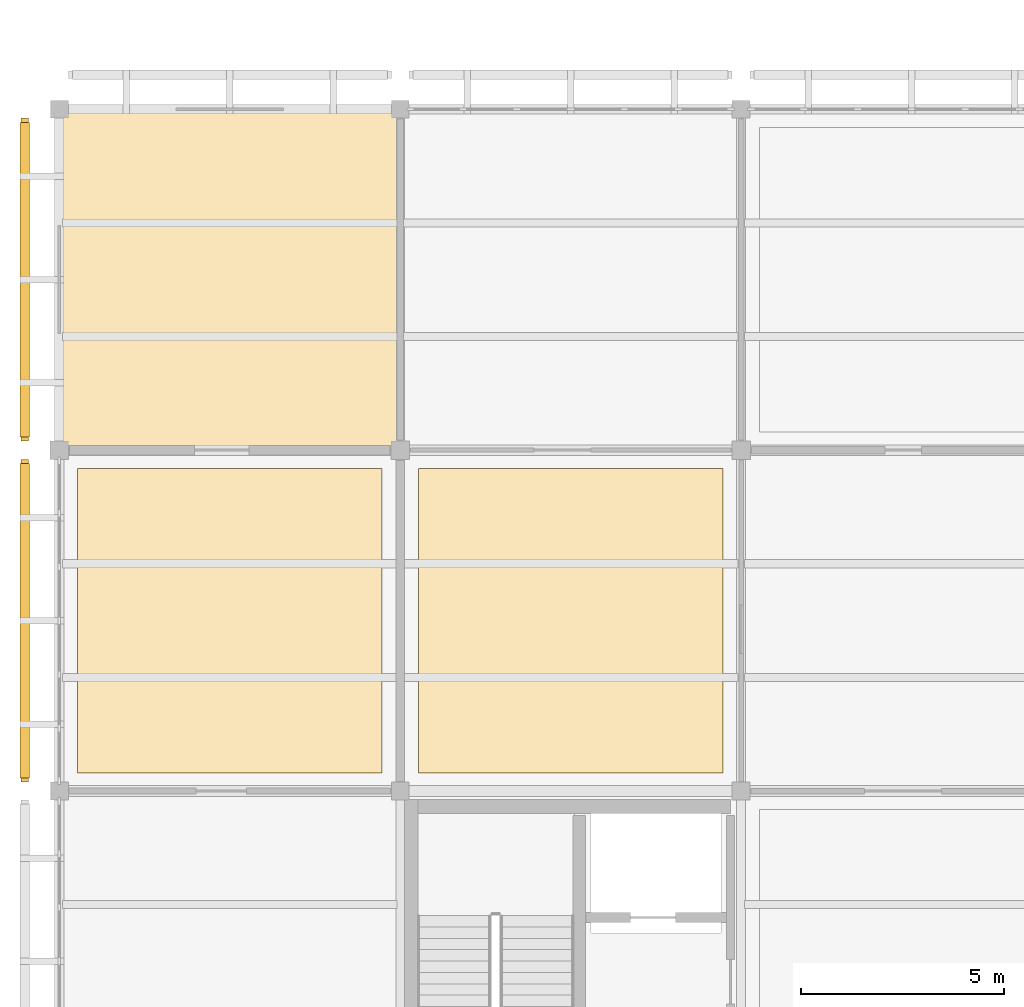
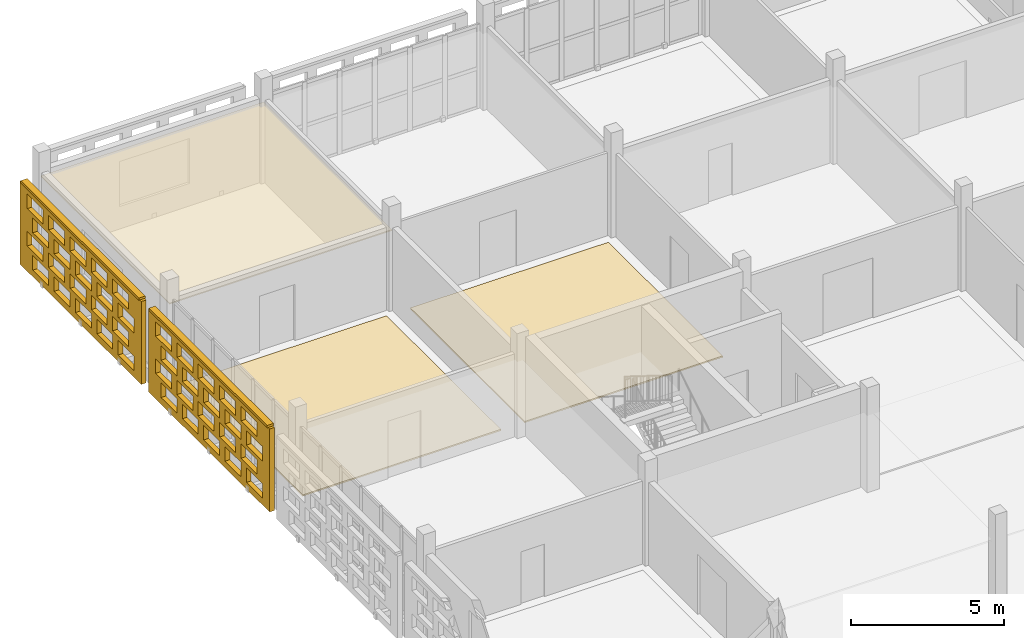
# One storey, part 112 of 140: 5 coverings, 2 shading devices, 40 openings.
"""IFC4 building model written with IfcOpenShell, lengths in metres."""

from ifc_helpers import new_model, si_unit, direction, frame, frame_2d, origin, origin_2d, place, context, subcontext, project, spatial, rectangle, extrude, material, layer, layer_set, type_object, element, save


model = new_model("IFC4")

# Units and contexts
model_context = context("Model", 3, precision=1e-05, world=origin(), true_north=direction((0.0, 1.0)))
body_context = subcontext(model_context, "Body", "Model", "MODEL_VIEW")
ifc_project = project(units=[si_unit("LENGTHUNIT", "METRE"), si_unit("AREAUNIT", "SQUARE_METRE"), si_unit("VOLUMEUNIT", "CUBIC_METRE"), si_unit("PLANEANGLEUNIT", "RADIAN"), si_unit("MASSUNIT", "GRAM", prefix="KILO")], contexts=[model_context])

# Site, building, storey
site_placement = place(None, origin())
site = spatial("IfcSite", under=ifc_project, at=site_placement, CompositionType="ELEMENT")
building_placement = place(site_placement, origin())
building = spatial("IfcBuilding", under=site, at=building_placement, Name="Varnapada Polytechnic", CompositionType="ELEMENT")
storey_placement = place(building_placement, frame((0.0, 0.0, 13.800048828125)))
storey = spatial("IfcBuildingStorey", under=building, at=storey_placement, Name="L03", CompositionType="ELEMENT", Elevation=13.800048828125)

# Coverings
ifc_material_1 = material(Name="End-Grain Timber Studio Block Flooring", Category="wood")
ifc_layer_1 = layer(ifc_material_1, 0.054931640625)
ifc_layer_set_1 = layer_set([ifc_layer_1], Name="End-Grain Timber Studio Block Flooring")
covering_type_1 = type_object("IfcCoveringType", Name="Floor Finish FLR-04", PredefinedType="FLOORING", material=ifc_layer_set_1)
for number, where, z_axis, x_axis, name in (
    (1, (4.199951171875, 113.39990234375, 0.0), (0.0, 0.0, 1.0), (1.0, 0.0, 0.0), "L03 floor finish panel (1,14)"),
    (2, (12.60009765625, 113.39990234375, 0.0), (0.0, 0.0, 1.0), (1.0, 0.0, 0.0), "L03 floor finish panel (2,14)"),
):
    element("IfcCovering", number, at=place(storey_placement, frame(where, z_axis=z_axis, x_axis=x_axis)), inside=storey, type_object=covering_type_1, Name=name, PredefinedType="FLOORING", context=body_context, shape_type="SweptSolid", body=[
        extrude(rectangle(XDim=7.5, YDim=7.5, at=origin_2d()), origin(), (0.0, 0.0, 1.0), 0.054931640625),
    ])
ifc_material_2 = material(Name="Micro-Perforated Gypsum Acoustic Ceiling")
ifc_layer_2 = layer(ifc_material_2, 0.044921875)
ifc_layer_set_2 = layer_set([ifc_layer_2], Name="Micro-Perforated Gypsum Acoustic Ceiling")
covering_type_2 = type_object("IfcCoveringType", Name="Suspended Ceiling CLG-04", PredefinedType="CEILING", material=ifc_layer_set_2)
covering_1_placement = place(storey_placement, frame((4.199951171875, 121.800048828125, 3.027587890625), z_axis=(0.0, 0.0, 1.0), x_axis=(1.0, 0.0, 0.0)))
element("IfcCovering", 3, at=covering_1_placement, inside=storey, type_object=covering_type_2, Name="L03 suspended acoustic ceiling (1,15)", PredefinedType="CEILING", context=body_context, shape_type="SweptSolid", body=[
    extrude(rectangle(XDim=8.419921875, YDim=8.419921875, at=origin_2d()), origin(), (0.0, 0.0, 1.0), 0.044921875),
])

# Covering, openings
ifc_material_3 = material(Name="Earth-toned architectural terracotta screen block", Category="masonry")
ifc_layer_3 = layer(ifc_material_3, 0.1201171875)
ifc_layer_set_3 = layer_set([ifc_layer_3], Name="Earth-toned architectural terracotta screen block")
covering_type_3 = type_object("IfcCoveringType", Name="Terracotta Screen Cladding CLD-01", PredefinedType="CLADDING", material=ifc_layer_set_3)
covering_2_placement = place(storey_placement, frame((-0.85009765625, 109.419921875, 0.0), z_axis=(0.0, 0.0, 1.0), x_axis=(0.0, 1.0, 0.0)))
covering_2 = element("IfcCovering", 4, at=covering_2_placement, inside=storey, type_object=covering_type_3, Name="L03 perforated terracotta block screen (10)", PredefinedType="CLADDING", context=body_context, shape_type="SweptSolid", body=[
    extrude(rectangle(XDim=7.9501953125, YDim=0.179931640625, at=frame_2d((3.97509765625, 0.0))), origin(), (0.0, 0.0, 1.0), 3.320068359375),
])
opening_1_placement = place(covering_2_placement, frame((0.47509765625, 0.0, 0.265625)))
element("IfcOpeningElement", 5, at=opening_1_placement, cuts=covering_2, Name="Screen perforation TBS-L03-009.1", PredefinedType="OPENING", context=body_context, shape_type="SweptSolid", body=[
    extrude(rectangle(XDim=1.0400390625, YDim=0.5810546875, at=frame_2d((0.52001953125, 0.29052734375))), frame((0.0, 0.099853515625, 0.0), z_axis=(0.0, -1.0, 0.0), x_axis=(1.0, 0.0, 0.0)), (0.0, 0.0, 1.0), 0.199951171875),
])
opening_2_placement = place(covering_2_placement, frame((1.875, 0.0, 0.265625)))
element("IfcOpeningElement", 6, at=opening_2_placement, cuts=covering_2, Name="Screen perforation TBS-L03-009.2", PredefinedType="OPENING", context=body_context, shape_type="SweptSolid", body=[
    extrude(rectangle(XDim=1.0400390625, YDim=0.5810546875, at=frame_2d((0.52001953125, 0.29052734375))), frame((0.0, 0.099853515625, 0.0), z_axis=(0.0, -1.0, 0.0), x_axis=(1.0, 0.0, 0.0)), (0.0, 0.0, 1.0), 0.199951171875),
])
opening_3_placement = place(covering_2_placement, frame((3.27490234375, 0.0, 0.265625)))
element("IfcOpeningElement", 7, at=opening_3_placement, cuts=covering_2, Name="Screen perforation TBS-L03-009.3", PredefinedType="OPENING", context=body_context, shape_type="SweptSolid", body=[
    extrude(rectangle(XDim=1.0400390625, YDim=0.5810546875, at=frame_2d((0.52001953125, 0.29052734375))), frame((0.0, 0.099853515625, 0.0), z_axis=(0.0, -1.0, 0.0), x_axis=(1.0, 0.0, 0.0)), (0.0, 0.0, 1.0), 0.199951171875),
])
opening_4_placement = place(covering_2_placement, frame((4.675048828125, 0.0, 0.265625)))
element("IfcOpeningElement", 8, at=opening_4_placement, cuts=covering_2, Name="Screen perforation TBS-L03-009.4", PredefinedType="OPENING", context=body_context, shape_type="SweptSolid", body=[
    extrude(rectangle(XDim=1.0400390625, YDim=0.5810546875, at=frame_2d((0.52001953125, 0.29052734375))), frame((0.0, 0.099853515625, 0.0), z_axis=(0.0, -1.0, 0.0), x_axis=(1.0, 0.0, 0.0)), (0.0, 0.0, 1.0), 0.199951171875),
])
opening_5_placement = place(covering_2_placement, frame((6.074951171875, 0.0, 0.265625)))
element("IfcOpeningElement", 9, at=opening_5_placement, cuts=covering_2, Name="Screen perforation TBS-L03-009.5", PredefinedType="OPENING", context=body_context, shape_type="SweptSolid", body=[
    extrude(rectangle(XDim=1.0400390625, YDim=0.5810546875, at=frame_2d((0.52001953125, 0.29052734375))), frame((0.0, 0.099853515625, 0.0), z_axis=(0.0, -1.0, 0.0), x_axis=(1.0, 0.0, 0.0)), (0.0, 0.0, 1.0), 0.199951171875),
])
opening_6_placement = place(covering_2_placement, frame((0.8349609375, 0.0, 1.0126953125)))
element("IfcOpeningElement", 10, at=opening_6_placement, cuts=covering_2, Name="Screen perforation TBS-L03-009.6", PredefinedType="OPENING", context=body_context, shape_type="SweptSolid", body=[
    extrude(rectangle(XDim=1.0400390625, YDim=0.5810546875, at=frame_2d((0.52001953125, 0.29052734375))), frame((0.0, 0.099853515625, 0.0), z_axis=(0.0, -1.0, 0.0), x_axis=(1.0, 0.0, 0.0)), (0.0, 0.0, 1.0), 0.199951171875),
])
opening_7_placement = place(covering_2_placement, frame((2.235107421875, 0.0, 1.0126953125)))
element("IfcOpeningElement", 11, at=opening_7_placement, cuts=covering_2, Name="Screen perforation TBS-L03-009.7", PredefinedType="OPENING", context=body_context, shape_type="SweptSolid", body=[
    extrude(rectangle(XDim=1.0400390625, YDim=0.5810546875, at=frame_2d((0.52001953125, 0.29052734375))), frame((0.0, 0.099853515625, 0.0), z_axis=(0.0, -1.0, 0.0), x_axis=(1.0, 0.0, 0.0)), (0.0, 0.0, 1.0), 0.199951171875),
])
opening_8_placement = place(covering_2_placement, frame((3.635009765625, 0.0, 1.0126953125)))
element("IfcOpeningElement", 12, at=opening_8_placement, cuts=covering_2, Name="Screen perforation TBS-L03-009.8", PredefinedType="OPENING", context=body_context, shape_type="SweptSolid", body=[
    extrude(rectangle(XDim=1.0400390625, YDim=0.5810546875, at=frame_2d((0.52001953125, 0.29052734375))), frame((0.0, 0.099853515625, 0.0), z_axis=(0.0, -1.0, 0.0), x_axis=(1.0, 0.0, 0.0)), (0.0, 0.0, 1.0), 0.199951171875),
])
opening_9_placement = place(covering_2_placement, frame((5.034912109375, 0.0, 1.0126953125)))
element("IfcOpeningElement", 13, at=opening_9_placement, cuts=covering_2, Name="Screen perforation TBS-L03-009.9", PredefinedType="OPENING", context=body_context, shape_type="SweptSolid", body=[
    extrude(rectangle(XDim=1.0400390625, YDim=0.5810546875, at=frame_2d((0.52001953125, 0.29052734375))), frame((0.0, 0.099853515625, 0.0), z_axis=(0.0, -1.0, 0.0), x_axis=(1.0, 0.0, 0.0)), (0.0, 0.0, 1.0), 0.199951171875),
])
opening_10_placement = place(covering_2_placement, frame((6.43505859375, 0.0, 1.0126953125)))
element("IfcOpeningElement", 14, at=opening_10_placement, cuts=covering_2, Name="Screen perforation TBS-L03-009.10", PredefinedType="OPENING", context=body_context, shape_type="SweptSolid", body=[
    extrude(rectangle(XDim=1.0400390625, YDim=0.5810546875, at=frame_2d((0.52001953125, 0.29052734375))), frame((0.0, 0.099853515625, 0.0), z_axis=(0.0, -1.0, 0.0), x_axis=(1.0, 0.0, 0.0)), (0.0, 0.0, 1.0), 0.199951171875),
])
opening_11_placement = place(covering_2_placement, frame((0.47509765625, 0.0, 1.759521484375)))
element("IfcOpeningElement", 15, at=opening_11_placement, cuts=covering_2, Name="Screen perforation TBS-L03-009.11", PredefinedType="OPENING", context=body_context, shape_type="SweptSolid", body=[
    extrude(rectangle(XDim=1.0400390625, YDim=0.5810546875, at=frame_2d((0.52001953125, 0.29052734375))), frame((0.0, 0.099853515625, 0.0), z_axis=(0.0, -1.0, 0.0), x_axis=(1.0, 0.0, 0.0)), (0.0, 0.0, 1.0), 0.199951171875),
])
opening_12_placement = place(covering_2_placement, frame((1.875, 0.0, 1.759521484375)))
element("IfcOpeningElement", 16, at=opening_12_placement, cuts=covering_2, Name="Screen perforation TBS-L03-009.12", PredefinedType="OPENING", context=body_context, shape_type="SweptSolid", body=[
    extrude(rectangle(XDim=1.0400390625, YDim=0.5810546875, at=frame_2d((0.52001953125, 0.29052734375))), frame((0.0, 0.099853515625, 0.0), z_axis=(0.0, -1.0, 0.0), x_axis=(1.0, 0.0, 0.0)), (0.0, 0.0, 1.0), 0.199951171875),
])
opening_13_placement = place(covering_2_placement, frame((3.27490234375, 0.0, 1.759521484375)))
element("IfcOpeningElement", 17, at=opening_13_placement, cuts=covering_2, Name="Screen perforation TBS-L03-009.13", PredefinedType="OPENING", context=body_context, shape_type="SweptSolid", body=[
    extrude(rectangle(XDim=1.0400390625, YDim=0.5810546875, at=frame_2d((0.52001953125, 0.29052734375))), frame((0.0, 0.099853515625, 0.0), z_axis=(0.0, -1.0, 0.0), x_axis=(1.0, 0.0, 0.0)), (0.0, 0.0, 1.0), 0.199951171875),
])
opening_14_placement = place(covering_2_placement, frame((4.675048828125, 0.0, 1.759521484375)))
element("IfcOpeningElement", 18, at=opening_14_placement, cuts=covering_2, Name="Screen perforation TBS-L03-009.14", PredefinedType="OPENING", context=body_context, shape_type="SweptSolid", body=[
    extrude(rectangle(XDim=1.0400390625, YDim=0.5810546875, at=frame_2d((0.52001953125, 0.29052734375))), frame((0.0, 0.099853515625, 0.0), z_axis=(0.0, -1.0, 0.0), x_axis=(1.0, 0.0, 0.0)), (0.0, 0.0, 1.0), 0.199951171875),
])
opening_15_placement = place(covering_2_placement, frame((6.074951171875, 0.0, 1.759521484375)))
element("IfcOpeningElement", 19, at=opening_15_placement, cuts=covering_2, Name="Screen perforation TBS-L03-009.15", PredefinedType="OPENING", context=body_context, shape_type="SweptSolid", body=[
    extrude(rectangle(XDim=1.0400390625, YDim=0.5810546875, at=frame_2d((0.52001953125, 0.29052734375))), frame((0.0, 0.099853515625, 0.0), z_axis=(0.0, -1.0, 0.0), x_axis=(1.0, 0.0, 0.0)), (0.0, 0.0, 1.0), 0.199951171875),
])
opening_16_placement = place(covering_2_placement, frame((0.8349609375, 0.0, 2.506591796875)))
element("IfcOpeningElement", 20, at=opening_16_placement, cuts=covering_2, Name="Screen perforation TBS-L03-009.16", PredefinedType="OPENING", context=body_context, shape_type="SweptSolid", body=[
    extrude(rectangle(XDim=1.0400390625, YDim=0.5810546875, at=frame_2d((0.52001953125, 0.29052734375))), frame((0.0, 0.099853515625, 0.0), z_axis=(0.0, -1.0, 0.0), x_axis=(1.0, 0.0, 0.0)), (0.0, 0.0, 1.0), 0.199951171875),
])
opening_17_placement = place(covering_2_placement, frame((2.235107421875, 0.0, 2.506591796875)))
element("IfcOpeningElement", 21, at=opening_17_placement, cuts=covering_2, Name="Screen perforation TBS-L03-009.17", PredefinedType="OPENING", context=body_context, shape_type="SweptSolid", body=[
    extrude(rectangle(XDim=1.0400390625, YDim=0.5810546875, at=frame_2d((0.52001953125, 0.29052734375))), frame((0.0, 0.099853515625, 0.0), z_axis=(0.0, -1.0, 0.0), x_axis=(1.0, 0.0, 0.0)), (0.0, 0.0, 1.0), 0.199951171875),
])
opening_18_placement = place(covering_2_placement, frame((3.635009765625, 0.0, 2.506591796875)))
element("IfcOpeningElement", 22, at=opening_18_placement, cuts=covering_2, Name="Screen perforation TBS-L03-009.18", PredefinedType="OPENING", context=body_context, shape_type="SweptSolid", body=[
    extrude(rectangle(XDim=1.0400390625, YDim=0.5810546875, at=frame_2d((0.52001953125, 0.29052734375))), frame((0.0, 0.099853515625, 0.0), z_axis=(0.0, -1.0, 0.0), x_axis=(1.0, 0.0, 0.0)), (0.0, 0.0, 1.0), 0.199951171875),
])
opening_19_placement = place(covering_2_placement, frame((5.034912109375, 0.0, 2.506591796875)))
element("IfcOpeningElement", 23, at=opening_19_placement, cuts=covering_2, Name="Screen perforation TBS-L03-009.19", PredefinedType="OPENING", context=body_context, shape_type="SweptSolid", body=[
    extrude(rectangle(XDim=1.0400390625, YDim=0.5810546875, at=frame_2d((0.52001953125, 0.29052734375))), frame((0.0, 0.099853515625, 0.0), z_axis=(0.0, -1.0, 0.0), x_axis=(1.0, 0.0, 0.0)), (0.0, 0.0, 1.0), 0.199951171875),
])
opening_20_placement = place(covering_2_placement, frame((6.43505859375, 0.0, 2.506591796875)))
element("IfcOpeningElement", 24, at=opening_20_placement, cuts=covering_2, Name="Screen perforation TBS-L03-009.20", PredefinedType="OPENING", context=body_context, shape_type="SweptSolid", body=[
    extrude(rectangle(XDim=1.0400390625, YDim=0.5810546875, at=frame_2d((0.52001953125, 0.29052734375))), frame((0.0, 0.099853515625, 0.0), z_axis=(0.0, -1.0, 0.0), x_axis=(1.0, 0.0, 0.0)), (0.0, 0.0, 1.0), 0.199951171875),
])

covering_3_placement = place(storey_placement, frame((-0.85009765625, 117.830078125, 0.0), z_axis=(0.0, 0.0, 1.0), x_axis=(0.0, 1.0, 0.0)))
covering_3 = element("IfcCovering", 25, at=covering_3_placement, inside=storey, type_object=covering_type_3, Name="L03 perforated terracotta block screen (12)", PredefinedType="CLADDING", context=body_context, shape_type="SweptSolid", body=[
    extrude(rectangle(XDim=7.949951171875, YDim=0.179931640625, at=frame_2d((3.97509765625, 0.0))), origin(), (0.0, 0.0, 1.0), 3.320068359375),
])
opening_21_placement = place(covering_3_placement, frame((0.47509765625, 0.0, 0.265625)))
element("IfcOpeningElement", 26, at=opening_21_placement, cuts=covering_3, Name="Screen perforation TBS-L03-011.1", PredefinedType="OPENING", context=body_context, shape_type="SweptSolid", body=[
    extrude(rectangle(XDim=1.0400390625, YDim=0.5810546875, at=frame_2d((0.52001953125, 0.29052734375))), frame((0.0, 0.099853515625, 0.0), z_axis=(0.0, -1.0, 0.0), x_axis=(1.0, 0.0, 0.0)), (0.0, 0.0, 1.0), 0.199951171875),
])
opening_22_placement = place(covering_3_placement, frame((1.875, 0.0, 0.265625)))
element("IfcOpeningElement", 27, at=opening_22_placement, cuts=covering_3, Name="Screen perforation TBS-L03-011.2", PredefinedType="OPENING", context=body_context, shape_type="SweptSolid", body=[
    extrude(rectangle(XDim=1.0400390625, YDim=0.5810546875, at=frame_2d((0.52001953125, 0.29052734375))), frame((0.0, 0.099853515625, 0.0), z_axis=(0.0, -1.0, 0.0), x_axis=(1.0, 0.0, 0.0)), (0.0, 0.0, 1.0), 0.199951171875),
])
opening_23_placement = place(covering_3_placement, frame((3.27490234375, 0.0, 0.265625)))
element("IfcOpeningElement", 28, at=opening_23_placement, cuts=covering_3, Name="Screen perforation TBS-L03-011.3", PredefinedType="OPENING", context=body_context, shape_type="SweptSolid", body=[
    extrude(rectangle(XDim=1.0400390625, YDim=0.5810546875, at=frame_2d((0.52001953125, 0.29052734375))), frame((0.0, 0.099853515625, 0.0), z_axis=(0.0, -1.0, 0.0), x_axis=(1.0, 0.0, 0.0)), (0.0, 0.0, 1.0), 0.199951171875),
])
opening_24_placement = place(covering_3_placement, frame((4.675048828125, 0.0, 0.265625)))
element("IfcOpeningElement", 29, at=opening_24_placement, cuts=covering_3, Name="Screen perforation TBS-L03-011.4", PredefinedType="OPENING", context=body_context, shape_type="SweptSolid", body=[
    extrude(rectangle(XDim=1.0400390625, YDim=0.5810546875, at=frame_2d((0.52001953125, 0.29052734375))), frame((0.0, 0.099853515625, 0.0), z_axis=(0.0, -1.0, 0.0), x_axis=(1.0, 0.0, 0.0)), (0.0, 0.0, 1.0), 0.199951171875),
])
opening_25_placement = place(covering_3_placement, frame((6.074951171875, 0.0, 0.265625)))
element("IfcOpeningElement", 30, at=opening_25_placement, cuts=covering_3, Name="Screen perforation TBS-L03-011.5", PredefinedType="OPENING", context=body_context, shape_type="SweptSolid", body=[
    extrude(rectangle(XDim=1.0400390625, YDim=0.5810546875, at=frame_2d((0.52001953125, 0.29052734375))), frame((0.0, 0.099853515625, 0.0), z_axis=(0.0, -1.0, 0.0), x_axis=(1.0, 0.0, 0.0)), (0.0, 0.0, 1.0), 0.199951171875),
])
opening_26_placement = place(covering_3_placement, frame((0.8349609375, 0.0, 1.0126953125)))
element("IfcOpeningElement", 31, at=opening_26_placement, cuts=covering_3, Name="Screen perforation TBS-L03-011.6", PredefinedType="OPENING", context=body_context, shape_type="SweptSolid", body=[
    extrude(rectangle(XDim=1.0400390625, YDim=0.5810546875, at=frame_2d((0.52001953125, 0.29052734375))), frame((0.0, 0.099853515625, 0.0), z_axis=(0.0, -1.0, 0.0), x_axis=(1.0, 0.0, 0.0)), (0.0, 0.0, 1.0), 0.199951171875),
])
opening_27_placement = place(covering_3_placement, frame((2.235107421875, 0.0, 1.0126953125)))
element("IfcOpeningElement", 32, at=opening_27_placement, cuts=covering_3, Name="Screen perforation TBS-L03-011.7", PredefinedType="OPENING", context=body_context, shape_type="SweptSolid", body=[
    extrude(rectangle(XDim=1.0400390625, YDim=0.5810546875, at=frame_2d((0.52001953125, 0.29052734375))), frame((0.0, 0.099853515625, 0.0), z_axis=(0.0, -1.0, 0.0), x_axis=(1.0, 0.0, 0.0)), (0.0, 0.0, 1.0), 0.199951171875),
])
opening_28_placement = place(covering_3_placement, frame((3.635009765625, 0.0, 1.0126953125)))
element("IfcOpeningElement", 33, at=opening_28_placement, cuts=covering_3, Name="Screen perforation TBS-L03-011.8", PredefinedType="OPENING", context=body_context, shape_type="SweptSolid", body=[
    extrude(rectangle(XDim=1.0400390625, YDim=0.5810546875, at=frame_2d((0.52001953125, 0.29052734375))), frame((0.0, 0.099853515625, 0.0), z_axis=(0.0, -1.0, 0.0), x_axis=(1.0, 0.0, 0.0)), (0.0, 0.0, 1.0), 0.199951171875),
])
opening_29_placement = place(covering_3_placement, frame((5.034912109375, 0.0, 1.0126953125)))
element("IfcOpeningElement", 34, at=opening_29_placement, cuts=covering_3, Name="Screen perforation TBS-L03-011.9", PredefinedType="OPENING", context=body_context, shape_type="SweptSolid", body=[
    extrude(rectangle(XDim=1.0400390625, YDim=0.5810546875, at=frame_2d((0.52001953125, 0.29052734375))), frame((0.0, 0.099853515625, 0.0), z_axis=(0.0, -1.0, 0.0), x_axis=(1.0, 0.0, 0.0)), (0.0, 0.0, 1.0), 0.199951171875),
])
opening_30_placement = place(covering_3_placement, frame((6.43505859375, 0.0, 1.0126953125)))
element("IfcOpeningElement", 35, at=opening_30_placement, cuts=covering_3, Name="Screen perforation TBS-L03-011.10", PredefinedType="OPENING", context=body_context, shape_type="SweptSolid", body=[
    extrude(rectangle(XDim=1.0400390625, YDim=0.5810546875, at=frame_2d((0.52001953125, 0.29052734375))), frame((0.0, 0.099853515625, 0.0), z_axis=(0.0, -1.0, 0.0), x_axis=(1.0, 0.0, 0.0)), (0.0, 0.0, 1.0), 0.199951171875),
])
opening_31_placement = place(covering_3_placement, frame((0.47509765625, 0.0, 1.759521484375)))
element("IfcOpeningElement", 36, at=opening_31_placement, cuts=covering_3, Name="Screen perforation TBS-L03-011.11", PredefinedType="OPENING", context=body_context, shape_type="SweptSolid", body=[
    extrude(rectangle(XDim=1.0400390625, YDim=0.5810546875, at=frame_2d((0.52001953125, 0.29052734375))), frame((0.0, 0.099853515625, 0.0), z_axis=(0.0, -1.0, 0.0), x_axis=(1.0, 0.0, 0.0)), (0.0, 0.0, 1.0), 0.199951171875),
])
opening_32_placement = place(covering_3_placement, frame((1.875, 0.0, 1.759521484375)))
element("IfcOpeningElement", 37, at=opening_32_placement, cuts=covering_3, Name="Screen perforation TBS-L03-011.12", PredefinedType="OPENING", context=body_context, shape_type="SweptSolid", body=[
    extrude(rectangle(XDim=1.0400390625, YDim=0.5810546875, at=frame_2d((0.52001953125, 0.29052734375))), frame((0.0, 0.099853515625, 0.0), z_axis=(0.0, -1.0, 0.0), x_axis=(1.0, 0.0, 0.0)), (0.0, 0.0, 1.0), 0.199951171875),
])
opening_33_placement = place(covering_3_placement, frame((3.27490234375, 0.0, 1.759521484375)))
element("IfcOpeningElement", 38, at=opening_33_placement, cuts=covering_3, Name="Screen perforation TBS-L03-011.13", PredefinedType="OPENING", context=body_context, shape_type="SweptSolid", body=[
    extrude(rectangle(XDim=1.0400390625, YDim=0.5810546875, at=frame_2d((0.52001953125, 0.29052734375))), frame((0.0, 0.099853515625, 0.0), z_axis=(0.0, -1.0, 0.0), x_axis=(1.0, 0.0, 0.0)), (0.0, 0.0, 1.0), 0.199951171875),
])
opening_34_placement = place(covering_3_placement, frame((4.675048828125, 0.0, 1.759521484375)))
element("IfcOpeningElement", 39, at=opening_34_placement, cuts=covering_3, Name="Screen perforation TBS-L03-011.14", PredefinedType="OPENING", context=body_context, shape_type="SweptSolid", body=[
    extrude(rectangle(XDim=1.0400390625, YDim=0.5810546875, at=frame_2d((0.52001953125, 0.29052734375))), frame((0.0, 0.099853515625, 0.0), z_axis=(0.0, -1.0, 0.0), x_axis=(1.0, 0.0, 0.0)), (0.0, 0.0, 1.0), 0.199951171875),
])
opening_35_placement = place(covering_3_placement, frame((6.074951171875, 0.0, 1.759521484375)))
element("IfcOpeningElement", 40, at=opening_35_placement, cuts=covering_3, Name="Screen perforation TBS-L03-011.15", PredefinedType="OPENING", context=body_context, shape_type="SweptSolid", body=[
    extrude(rectangle(XDim=1.0400390625, YDim=0.5810546875, at=frame_2d((0.52001953125, 0.29052734375))), frame((0.0, 0.099853515625, 0.0), z_axis=(0.0, -1.0, 0.0), x_axis=(1.0, 0.0, 0.0)), (0.0, 0.0, 1.0), 0.199951171875),
])
opening_36_placement = place(covering_3_placement, frame((0.8349609375, 0.0, 2.506591796875)))
element("IfcOpeningElement", 41, at=opening_36_placement, cuts=covering_3, Name="Screen perforation TBS-L03-011.16", PredefinedType="OPENING", context=body_context, shape_type="SweptSolid", body=[
    extrude(rectangle(XDim=1.0400390625, YDim=0.5810546875, at=frame_2d((0.52001953125, 0.29052734375))), frame((0.0, 0.099853515625, 0.0), z_axis=(0.0, -1.0, 0.0), x_axis=(1.0, 0.0, 0.0)), (0.0, 0.0, 1.0), 0.199951171875),
])
opening_37_placement = place(covering_3_placement, frame((2.235107421875, 0.0, 2.506591796875)))
element("IfcOpeningElement", 42, at=opening_37_placement, cuts=covering_3, Name="Screen perforation TBS-L03-011.17", PredefinedType="OPENING", context=body_context, shape_type="SweptSolid", body=[
    extrude(rectangle(XDim=1.0400390625, YDim=0.5810546875, at=frame_2d((0.52001953125, 0.29052734375))), frame((0.0, 0.099853515625, 0.0), z_axis=(0.0, -1.0, 0.0), x_axis=(1.0, 0.0, 0.0)), (0.0, 0.0, 1.0), 0.199951171875),
])
opening_38_placement = place(covering_3_placement, frame((3.635009765625, 0.0, 2.506591796875)))
element("IfcOpeningElement", 43, at=opening_38_placement, cuts=covering_3, Name="Screen perforation TBS-L03-011.18", PredefinedType="OPENING", context=body_context, shape_type="SweptSolid", body=[
    extrude(rectangle(XDim=1.0400390625, YDim=0.5810546875, at=frame_2d((0.52001953125, 0.29052734375))), frame((0.0, 0.099853515625, 0.0), z_axis=(0.0, -1.0, 0.0), x_axis=(1.0, 0.0, 0.0)), (0.0, 0.0, 1.0), 0.199951171875),
])
opening_39_placement = place(covering_3_placement, frame((5.034912109375, 0.0, 2.506591796875)))
element("IfcOpeningElement", 44, at=opening_39_placement, cuts=covering_3, Name="Screen perforation TBS-L03-011.19", PredefinedType="OPENING", context=body_context, shape_type="SweptSolid", body=[
    extrude(rectangle(XDim=1.0400390625, YDim=0.5810546875, at=frame_2d((0.52001953125, 0.29052734375))), frame((0.0, 0.099853515625, 0.0), z_axis=(0.0, -1.0, 0.0), x_axis=(1.0, 0.0, 0.0)), (0.0, 0.0, 1.0), 0.199951171875),
])
opening_40_placement = place(covering_3_placement, frame((6.43505859375, 0.0, 2.506591796875)))
element("IfcOpeningElement", 45, at=opening_40_placement, cuts=covering_3, Name="Screen perforation TBS-L03-011.20", PredefinedType="OPENING", context=body_context, shape_type="SweptSolid", body=[
    extrude(rectangle(XDim=1.0400390625, YDim=0.5810546875, at=frame_2d((0.52001953125, 0.29052734375))), frame((0.0, 0.099853515625, 0.0), z_axis=(0.0, -1.0, 0.0), x_axis=(1.0, 0.0, 0.0)), (0.0, 0.0, 1.0), 0.199951171875),
])

# Shading devices
ifc_layer_4 = layer(ifc_material_3, 0.179931640625)
ifc_layer_set_4 = layer_set([ifc_layer_4], Name="Earth-toned architectural terracotta screen block")
shading_device_type = type_object("IfcShadingDeviceType", Name="Terracotta Screen SCR-01", PredefinedType="USERDEFINED", material=ifc_layer_set_4)
for number, where, z_axis, x_axis, name in (
    (46, (-0.85009765625, 113.39501953125, 3.309814453125), (0.0, 0.0, 1.0), (0.0, 1.0, 0.0), "L03 perforated terracotta screen hood 345"),
    (47, (-0.85009765625, 121.804931640625, 3.309814453125), (0.0, 0.0, 1.0), (0.0, 1.0, 0.0), "L03 perforated terracotta screen hood 347"),
):
    element("IfcShadingDevice", number, at=place(storey_placement, frame(where, z_axis=z_axis, x_axis=x_axis)), inside=storey, type_object=shading_device_type, Name=name, ObjectType="SCREEN", PredefinedType="USERDEFINED", context=body_context, shape_type="SweptSolid", body=[
        extrude(rectangle(XDim=7.75, YDim=0.239990234375, at=origin_2d()), origin(), (0.0, 0.0, 1.0), 0.10009765625),
    ])

save(model, "model.ifc")
